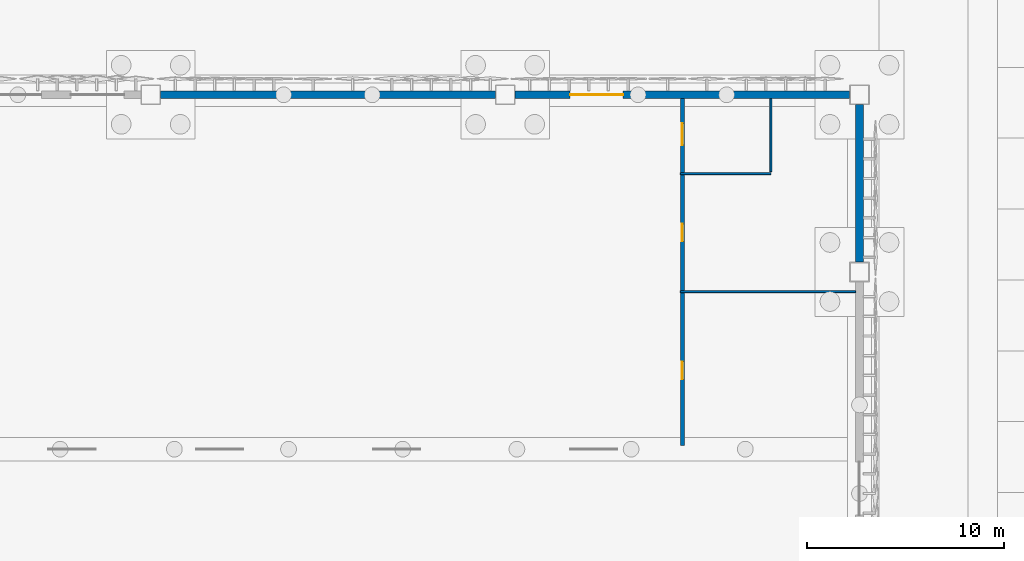
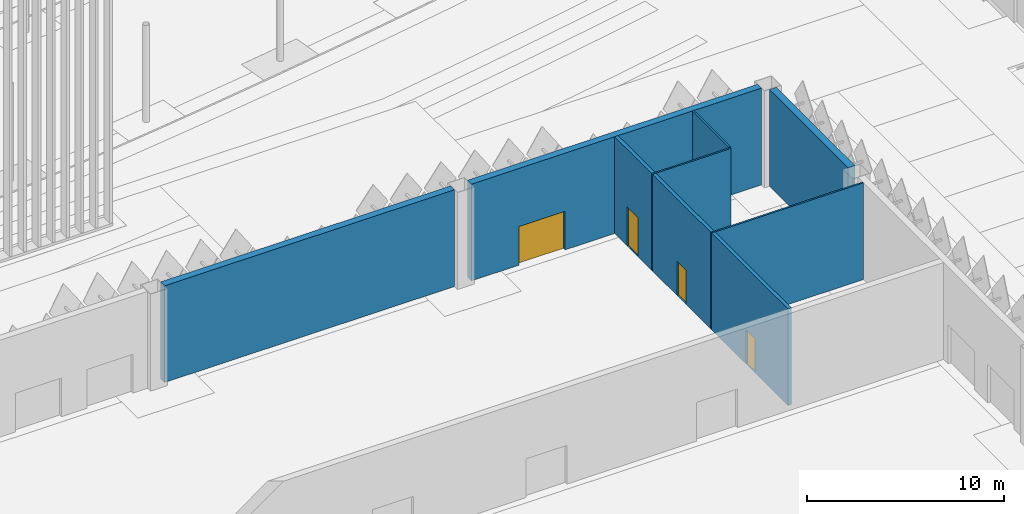
# One storey, part 97 of 198: 7 walls, 4 doors, 4 openings.
"""IFC4 building model written with IfcOpenShell, lengths in metres."""

from ifc_helpers import new_model, si_unit, direction, frame, frame_2d, origin, place, context, subcontext, project, spatial, rectangle, extrude, material, layer, layer_set, type_object, element, fill, save


model = new_model("IFC4")

# Units and contexts
model_context = context("Model", 3, precision=1e-05, world=origin(), true_north=direction((0.0, 1.0)))
body_context = subcontext(model_context, "Body", "Model", "MODEL_VIEW")
ifc_project = project(units=[si_unit("LENGTHUNIT", "METRE"), si_unit("AREAUNIT", "SQUARE_METRE"), si_unit("VOLUMEUNIT", "CUBIC_METRE"), si_unit("PLANEANGLEUNIT", "RADIAN"), si_unit("MASSUNIT", "GRAM", prefix="KILO")], contexts=[model_context])

# Site, building, storey
site_placement = place(None, origin())
site = spatial("IfcSite", under=ifc_project, at=site_placement, CompositionType="ELEMENT")
building_placement = place(site_placement, origin())
building = spatial("IfcBuilding", under=site, at=building_placement, Name="Opaline Strait Convention Centre", CompositionType="ELEMENT")
storey_placement = place(building_placement, origin())
storey = spatial("IfcBuildingStorey", under=building, at=storey_placement, Name="L00", CompositionType="ELEMENT", Elevation=0.0)

# Wall
ifc_material_1 = material(Name="Concrete C40", Category="concrete")
ifc_layer_1 = layer(ifc_material_1, 0.25)
ifc_material_2 = material(Name="Mineral wool insulation")
ifc_layer_2 = layer(ifc_material_2, 0.10009765625)
ifc_material_3 = material(Name="Gypsum board lining")
ifc_layer_3 = layer(ifc_material_3, 0.050048828125)
ifc_layer_set_1 = layer_set([ifc_layer_1, ifc_layer_2, ifc_layer_3], Name="Concrete C40, Mineral wool insulation, Gypsum board lining")
wall_type_1 = type_object("IfcWallType", Name="External wall RC 400 insulated", PredefinedType="SOLIDWALL", material=ifc_layer_set_1)
wall_1_placement = place(storey_placement, frame((225.5, 153.0, 0.0), z_axis=(0.0, 0.0, 1.0), x_axis=(1.0, 0.0, 0.0)))
element("IfcWall", 1, at=wall_1_placement, inside=storey, type_object=wall_type_1, Name="External wall N5", PredefinedType="SOLIDWALL", context=body_context, shape_type="SweptSolid", body=[
    extrude(rectangle(XDim=17.0, YDim=0.39990234375, at=frame_2d((8.5, 0.0))), origin(), (0.0, 0.0, 1.0), 6.0),
])

# Wall, opening, door
wall_2_placement = place(storey_placement, frame((243.5, 153.0, 0.0), z_axis=(0.0, 0.0, 1.0), x_axis=(1.0, 0.0, 0.0)))
wall_2 = element("IfcWall", 2, at=wall_2_placement, inside=storey, type_object=wall_type_1, Name="External wall N6", PredefinedType="SOLIDWALL", context=body_context, shape_type="SweptSolid", body=[
    extrude(rectangle(XDim=17.0, YDim=0.39990234375, at=frame_2d((8.5, 0.0))), origin(), (0.0, 0.0, 1.0), 6.0),
])
opening_1_placement = place(wall_2_placement, frame((2.800048828125, 0.0, 0.0)))
opening_1 = element("IfcOpeningElement", 3, at=opening_1_placement, cuts=wall_2, Name="Opening X0-061", PredefinedType="OPENING", context=body_context, shape_type="SweptSolid", body=[
    extrude(rectangle(XDim=2.699951171875, YDim=2.39990234375, at=frame_2d((1.35009765625, 1.199951171875))), frame((0.0, 0.2099609375, 0.0), z_axis=(0.0, -1.0, 0.0), x_axis=(1.0, 0.0, 0.0)), (0.0, 0.0, 1.0), 0.419921875),
])
ifc_material_4 = material(Name="Steel Q235B", Category="steel")
door_type_1 = type_object("IfcDoorType", Name="Exit door pair 2700 x 2400", OperationType="DOUBLE_DOOR_SINGLE_SWING", PredefinedType="DOOR", material=ifc_material_4)
door_1_placement = place(opening_1_placement, origin())
door_1 = element("IfcDoor", 4, at=door_1_placement, inside=storey, type_object=door_type_1, Name="Foyer exit door 9", ObjectType="XD2", OperationType="DOUBLE_DOOR_SINGLE_SWING", OverallHeight=2.39990234375, OverallWidth=2.699951171875, PredefinedType="DOOR", context=body_context, shape_type="SweptSolid", body=[
    extrude(rectangle(XDim=2.699951171875, YDim=2.39990234375, at=frame_2d((1.35009765625, 1.199951171875))), frame((0.0, 0.02490234375, 0.0), z_axis=(0.0, -1.0, 0.0), x_axis=(1.0, 0.0, 0.0)), (0.0, 0.0, 1.0), 0.050048828125),
])
fill(opening_1, door_1)

# Wall
wall_3_placement = place(storey_placement, frame((261.0, 144.5, 0.0), z_axis=(0.0, 0.0, 1.0), x_axis=(0.0, 1.0, 0.0)))
element("IfcWall", 5, at=wall_3_placement, inside=storey, type_object=wall_type_1, Name="External wall E7", PredefinedType="SOLIDWALL", context=body_context, shape_type="SweptSolid", body=[
    extrude(rectangle(XDim=8.0, YDim=0.39990234375, at=frame_2d((4.0, 0.0))), origin(), (0.0, 0.0, 1.0), 6.0),
])

# Wall, openings, doors
ifc_material_5 = material(Name="Lightweight blockwork", Category="masonry")
ifc_layer_4 = layer(ifc_material_5, 0.199951171875)
ifc_layer_set_2 = layer_set([ifc_layer_4], Name="Lightweight blockwork")
wall_type_2 = type_object("IfcWallType", Name="Partition EI 60 blockwork 200", PredefinedType="PARTITIONING", material=ifc_layer_set_2)
wall_4_placement = place(storey_placement, frame((252.0, 135.199951171875, 0.0), z_axis=(0.0, 0.0, 1.0), x_axis=(0.0, 1.0, 0.0)))
wall_4 = element("IfcWall", 6, at=wall_4_placement, inside=storey, type_object=wall_type_2, Name="WC block front wall", PredefinedType="PARTITIONING", context=body_context, shape_type="SweptSolid", body=[
    extrude(rectangle(XDim=17.60009765625, YDim=0.199951171875, at=frame_2d((8.800048828125, 0.0))), origin(), (0.0, 0.0, 1.0), 6.0),
])
opening_2_placement = place(wall_4_placement, frame((3.35009765625, 0.0, 0.014892578125)))
opening_2 = element("IfcOpeningElement", 7, at=opening_2_placement, cuts=wall_4, Name="Opening X0-114", PredefinedType="OPENING", context=body_context, shape_type="SweptSolid", body=[
    extrude(rectangle(XDim=0.89990234375, YDim=2.10009765625, at=frame_2d((0.449951171875, 1.050048828125))), frame((0.0, 0.10986328125, 0.0), z_axis=(0.0, -1.0, 0.0), x_axis=(1.0, 0.0, 0.0)), (0.0, 0.0, 1.0), 0.219970703125),
])
opening_3_placement = place(wall_4_placement, frame((10.35009765625, 0.0, 0.014892578125)))
opening_3 = element("IfcOpeningElement", 8, at=opening_3_placement, cuts=wall_4, Name="Opening X0-115", PredefinedType="OPENING", context=body_context, shape_type="SweptSolid", body=[
    extrude(rectangle(XDim=0.89990234375, YDim=2.10009765625, at=frame_2d((0.449951171875, 1.050048828125))), frame((0.0, 0.10986328125, 0.0), z_axis=(0.0, -1.0, 0.0), x_axis=(1.0, 0.0, 0.0)), (0.0, 0.0, 1.0), 0.219970703125),
])
opening_4_placement = place(wall_4_placement, frame((15.25, 0.0, 0.014892578125)))
opening_4 = element("IfcOpeningElement", 9, at=opening_4_placement, cuts=wall_4, Name="Opening X0-116", PredefinedType="OPENING", context=body_context, shape_type="SweptSolid", body=[
    extrude(rectangle(XDim=1.10009765625, YDim=2.39990234375, at=frame_2d((0.550048828125, 1.199951171875))), frame((0.0, 0.10986328125, 0.0), z_axis=(0.0, -1.0, 0.0), x_axis=(1.0, 0.0, 0.0)), (0.0, 0.0, 1.0), 0.219970703125),
])
door_type_2 = type_object("IfcDoorType", Name="Accessible WC door 1100 x 2400", OperationType="SINGLE_SWING_LEFT", PredefinedType="DOOR", material=ifc_material_4)
door_2_placement = place(opening_4_placement, origin())
door_2 = element("IfcDoor", 10, at=door_2_placement, inside=storey, type_object=door_type_2, Name="Accessible WC East door", ObjectType="XD12", OperationType="SINGLE_SWING_RIGHT", OverallHeight=2.39990234375, OverallWidth=1.10009765625, PredefinedType="DOOR", context=body_context, shape_type="SweptSolid", body=[
    extrude(rectangle(XDim=1.10009765625, YDim=2.39990234375, at=frame_2d((0.550048828125, 1.199951171875))), frame((0.0, 0.02490234375, 0.0), z_axis=(0.0, -1.0, 0.0), x_axis=(1.0, 0.0, 0.0)), (0.0, 0.0, 1.0), 0.050048828125),
])
fill(opening_4, door_2)
door_type_3 = type_object("IfcDoorType", Name="Public WC door 900 x 2100", OperationType="SINGLE_SWING_LEFT", PredefinedType="DOOR", material=ifc_material_4)
door_3_placement = place(opening_2_placement, origin())
door_3 = element("IfcDoor", 11, at=door_3_placement, inside=storey, type_object=door_type_3, Name="Public WC East Women door", ObjectType="XD11", OperationType="SINGLE_SWING_LEFT", OverallHeight=2.10009765625, OverallWidth=0.89990234375, PredefinedType="DOOR", context=body_context, shape_type="SweptSolid", body=[
    extrude(rectangle(XDim=0.89990234375, YDim=2.10009765625, at=frame_2d((0.449951171875, 1.050048828125))), frame((0.0, 0.02490234375, 0.0), z_axis=(0.0, -1.0, 0.0), x_axis=(1.0, 0.0, 0.0)), (0.0, 0.0, 1.0), 0.050048828125),
])
fill(opening_2, door_3)
door_4_placement = place(opening_3_placement, origin())
door_4 = element("IfcDoor", 12, at=door_4_placement, inside=storey, type_object=door_type_3, Name="Public WC East Men door", ObjectType="XD11", OperationType="SINGLE_SWING_RIGHT", OverallHeight=2.10009765625, OverallWidth=0.89990234375, PredefinedType="DOOR", context=body_context, shape_type="SweptSolid", body=[
    extrude(rectangle(XDim=0.89990234375, YDim=2.10009765625, at=frame_2d((0.449951171875, 1.050048828125))), frame((0.0, 0.02490234375, 0.0), z_axis=(0.0, -1.0, 0.0), x_axis=(1.0, 0.0, 0.0)), (0.0, 0.0, 1.0), 0.050048828125),
])
fill(opening_3, door_4)

# Walls
ifc_material_6 = material(Name="Gypsum board partition")
ifc_layer_5 = layer(ifc_material_6, 0.10009765625)
ifc_layer_set_3 = layer_set([ifc_layer_5], Name="Gypsum board partition")
wall_type_3 = type_object("IfcWallType", Name="WC partition gypsum 100", PredefinedType="PARTITIONING", material=ifc_layer_set_3)
wall_5_placement = place(storey_placement, frame((260.800048828125, 143.0, 0.0), z_axis=(0.0, 0.0, 1.0), x_axis=(-1.0, 0.0, 0.0)))
element("IfcWall", 13, at=wall_5_placement, inside=storey, type_object=wall_type_3, Name="WC partition", PredefinedType="PARTITIONING", context=body_context, shape_type="SweptSolid", body=[
    extrude(rectangle(XDim=8.900146484375, YDim=0.10009765625, at=frame_2d((4.4501953125, 0.0))), origin(), (0.0, 0.0, 1.0), 6.0),
])
wall_6_placement = place(storey_placement, frame((256.5, 149.0, 0.0), z_axis=(0.0, 0.0, 1.0), x_axis=(-1.0, 0.0, 0.0)))
element("IfcWall", 14, at=wall_6_placement, inside=storey, type_object=wall_type_3, Name="WC partition", PredefinedType="PARTITIONING", context=body_context, shape_type="SweptSolid", body=[
    extrude(rectangle(XDim=4.60009765625, YDim=0.10009765625, at=frame_2d((2.300048828125, 0.0))), origin(), (0.0, 0.0, 1.0), 6.0),
])
wall_7_placement = place(storey_placement, frame((256.5, 149.10009765625, 0.0), z_axis=(0.0, 0.0, 1.0), x_axis=(0.0, 1.0, 0.0)))
element("IfcWall", 15, at=wall_7_placement, inside=storey, type_object=wall_type_3, Name="WC partition", PredefinedType="PARTITIONING", context=body_context, shape_type="SweptSolid", body=[
    extrude(rectangle(XDim=3.699951171875, YDim=0.10009765625, at=frame_2d((1.85009765625, 0.0))), origin(), (0.0, 0.0, 1.0), 6.0),
])

save(model, "model.ifc")
